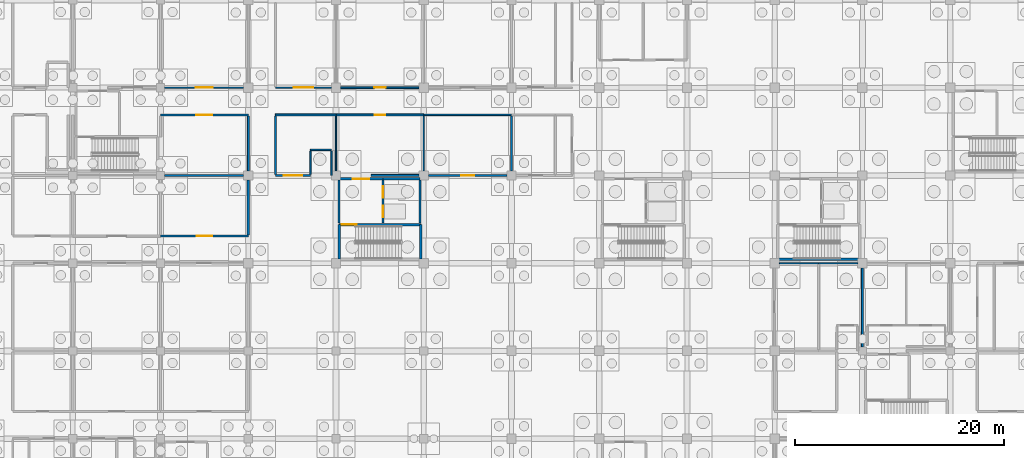
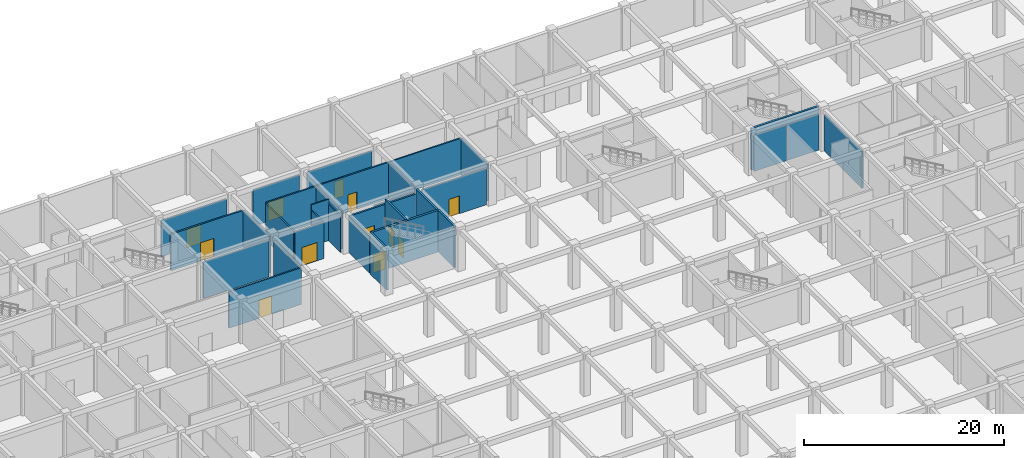
# One storey, part 42 of 65: 33 walls, 12 doors, 12 openings.
"""IFC4 building model written with IfcOpenShell, lengths in metres."""

from ifc_helpers import new_model, si_unit, direction, frame, frame_2d, origin, place, context, subcontext, project, spatial, rectangle, extrude, material, layer, layer_set, type_object, element, fill, save


model = new_model("IFC4")

# Units and contexts
model_context = context("Model", 3, precision=1e-05, world=origin(), true_north=direction((0.0, 1.0)))
body_context = subcontext(model_context, "Body", "Model", "MODEL_VIEW")
ifc_project = project(units=[si_unit("LENGTHUNIT", "METRE"), si_unit("AREAUNIT", "SQUARE_METRE"), si_unit("VOLUMEUNIT", "CUBIC_METRE"), si_unit("PLANEANGLEUNIT", "RADIAN"), si_unit("MASSUNIT", "GRAM", prefix="KILO")], contexts=[model_context])

# Site, building, storey
site_placement = place(None, origin())
site = spatial("IfcSite", under=ifc_project, at=site_placement, CompositionType="ELEMENT")
building_placement = place(site_placement, origin())
building = spatial("IfcBuilding", under=site, at=building_placement, Name="Bramfleet General Hospital", CompositionType="ELEMENT")
storey_placement = place(building_placement, frame((0.0, 0.0, -5.39990234375)))
storey = spatial("IfcBuildingStorey", under=building, at=storey_placement, Name="B1", CompositionType="ELEMENT", Elevation=-5.39990234375)

# Walls
ifc_material_1 = material(Name="Concrete C35/45", Category="concrete")
ifc_layer_1 = layer(ifc_material_1, 0.219970703125, Name="WT-IW-01")
ifc_layer_set_1 = layer_set([ifc_layer_1], Name="Concrete C35/45")
wall_type_1 = type_object("IfcWallType", Name="WT-IW-01", PredefinedType="PARTITIONING", material=ifc_layer_set_1)
wall_1_placement = place(storey_placement, frame((59.195068359375, 100.800048828125, 0.0), z_axis=(0.0, 0.0, 1.0), x_axis=(1.0, 0.0, 0.0)))
element("IfcWall", 1, at=wall_1_placement, inside=storey, type_object=wall_type_1, Name="B1 Interior Partition IW-B1-0289", PredefinedType="PARTITIONING", context=body_context, shape_type="SweptSolid", body=[
    extrude(rectangle(XDim=7.559814453125, YDim=0.219970703125, at=frame_2d((3.77978515625, 0.0))), origin(), (0.0, 0.0, 1.0), 4.419921875),
])
wall_2_placement = place(storey_placement, frame((92.39990234375, 101.2451171875, 0.0), z_axis=(0.0, 0.0, 1.0), x_axis=(0.0, 1.0, 0.0)))
element("IfcWall", 2, at=wall_2_placement, inside=storey, type_object=wall_type_1, Name="B1 Interior Partition IW-B1-0493", PredefinedType="PARTITIONING", context=body_context, shape_type="SweptSolid", body=[
    extrude(rectangle(XDim=5.239990234375, YDim=0.219970703125, at=frame_2d((2.6201171875, 0.0))), origin(), (0.0, 0.0, 1.0), 4.469970703125),
])

# Wall, openings, doors
ifc_layer_2 = layer(ifc_material_1, 0.205078125, Name="WT-IW-02")
ifc_layer_set_2 = layer_set([ifc_layer_2], Name="Concrete C35/45")
wall_type_2 = type_object("IfcWallType", Name="WT-IW-02", PredefinedType="PARTITIONING", material=ifc_layer_set_2)
wall_3_placement = place(storey_placement, frame((80.080078125, 96.239990234375, 0.0), z_axis=(0.0, 0.0, 1.0), x_axis=(0.0, 1.0, 0.0)))
wall_3 = element("IfcWall", 3, at=wall_3_placement, inside=storey, type_object=wall_type_2, Name="B1 C5 Lobby East Shaft Wall", PredefinedType="PARTITIONING", context=body_context, shape_type="SweptSolid", body=[
    extrude(rectangle(XDim=4.1201171875, YDim=0.205078125, at=frame_2d((2.06005859375, 0.0))), origin(), (0.0, 0.0, 1.0), 5.06982421875),
])
opening_1_placement = place(wall_3_placement, frame((0.570068359375, 0.0, 0.0)))
opening_1 = element("IfcOpeningElement", 4, at=opening_1_placement, cuts=wall_3, Name="Opening LD-PL-02-B1", PredefinedType="OPENING", context=body_context, shape_type="SweptSolid", body=[
    extrude(rectangle(XDim=1.10009765625, YDim=2.14990234375, at=frame_2d((0.550048828125, 1.074951171875))), frame((0.0, 0.112548828125, 0.0), z_axis=(0.0, -1.0, 0.0), x_axis=(1.0, 0.0, 0.0)), (0.0, 0.0, 1.0), 0.22509765625),
])
opening_2_placement = place(wall_3_placement, frame((2.449951171875, 0.0, 0.0)))
opening_2 = element("IfcOpeningElement", 5, at=opening_2_placement, cuts=wall_3, Name="Opening LD-PL-03-B1", PredefinedType="OPENING", context=body_context, shape_type="SweptSolid", body=[
    extrude(rectangle(XDim=1.10009765625, YDim=2.14990234375, at=frame_2d((0.550048828125, 1.074951171875))), frame((0.0, 0.112548828125, 0.0), z_axis=(0.0, -1.0, 0.0), x_axis=(1.0, 0.0, 0.0)), (0.0, 0.0, 1.0), 0.22509765625),
])
ifc_material_2 = material(Name="Brushed stainless steel 1.4301", Category="steel")
door_type_1 = type_object("IfcDoorType", Name="DR-LD-02", OperationType="NOTDEFINED", PredefinedType="DOOR", material=ifc_material_2)
door_1_placement = place(opening_1_placement, origin())
door_1 = element("IfcDoor", 6, at=door_1_placement, inside=storey, type_object=door_type_1, Name="B1 Lift PL-02 Sliding Landing Door", OperationType="SLIDING_TO_LEFT", OverallHeight=2.14990234375, OverallWidth=1.10009765625, PredefinedType="DOOR", context=body_context, shape_type="SweptSolid", body=[
    extrude(rectangle(XDim=1.10009765625, YDim=2.14990234375, at=frame_2d((0.550048828125, 1.074951171875))), frame((0.0, 0.02490234375, 0.0), z_axis=(0.0, -1.0, 0.0), x_axis=(1.0, 0.0, 0.0)), (0.0, 0.0, 1.0), 0.050048828125),
])
fill(opening_1, door_1)
door_2_placement = place(opening_2_placement, origin())
door_2 = element("IfcDoor", 7, at=door_2_placement, inside=storey, type_object=door_type_1, Name="B1 Lift PL-03 Sliding Landing Door", OperationType="SLIDING_TO_LEFT", OverallHeight=2.14990234375, OverallWidth=1.10009765625, PredefinedType="DOOR", context=body_context, shape_type="SweptSolid", body=[
    extrude(rectangle(XDim=1.10009765625, YDim=2.14990234375, at=frame_2d((0.550048828125, 1.074951171875))), frame((0.0, 0.02490234375, 0.0), z_axis=(0.0, -1.0, 0.0), x_axis=(1.0, 0.0, 0.0)), (0.0, 0.0, 1.0), 0.050048828125),
])
fill(opening_2, door_2)

# Walls
wall_4_placement = place(storey_placement, frame((83.64990234375, 96.239990234375, 0.0), z_axis=(0.0, 0.0, 1.0), x_axis=(0.0, 1.0, 0.0)))
element("IfcWall", 8, at=wall_4_placement, inside=storey, type_object=wall_type_2, Name="B1 C5 Lift Shaft East Wall", PredefinedType="PARTITIONING", context=body_context, shape_type="SweptSolid", body=[
    extrude(rectangle(XDim=4.1201171875, YDim=0.205078125, at=frame_2d((2.06005859375, 0.0))), origin(), (0.0, 0.0, 1.0), 5.06982421875),
])
wall_5_placement = place(storey_placement, frame((80.080078125, 100.47998046875, 0.0), z_axis=(0.0, 0.0, 1.0), x_axis=(1.0, 0.0, 0.0)))
element("IfcWall", 9, at=wall_5_placement, inside=storey, type_object=wall_type_2, Name="B1 C5 Lift Shaft North Wall", PredefinedType="PARTITIONING", context=body_context, shape_type="SweptSolid", body=[
    extrude(rectangle(XDim=3.56982421875, YDim=0.205078125, at=frame_2d((1.784912109375, 0.0))), origin(), (0.0, 0.0, 1.0), 4.419921875),
])
wall_6_placement = place(storey_placement, frame((75.89990234375, 96.239990234375, 0.0), z_axis=(0.0, 0.0, 1.0), x_axis=(0.0, 1.0, 0.0)))
element("IfcWall", 10, at=wall_6_placement, inside=storey, type_object=wall_type_2, Name="B1 C5 Lobby West Compartment Wall", PredefinedType="PARTITIONING", context=body_context, shape_type="SweptSolid", body=[
    extrude(rectangle(XDim=4.1201171875, YDim=0.205078125, at=frame_2d((2.06005859375, 0.0))), origin(), (0.0, 0.0, 1.0), 4.469970703125),
])

# Wall, opening, door
wall_7_placement = place(storey_placement, frame((75.89990234375, 100.47998046875, 0.0), z_axis=(0.0, 0.0, 1.0), x_axis=(1.0, 0.0, 0.0)))
wall_7 = element("IfcWall", 11, at=wall_7_placement, inside=storey, type_object=wall_type_2, Name="B1 C5 Lobby North Compartment Wall", PredefinedType="PARTITIONING", context=body_context, shape_type="SweptSolid", body=[
    extrude(rectangle(XDim=4.18017578125, YDim=0.205078125, at=frame_2d((2.090087890625, 0.0))), origin(), (0.0, 0.0, 1.0), 4.419921875),
])
opening_3_placement = place(wall_7_placement, frame((1.2900390625, 0.0, 0.0)))
opening_3 = element("IfcOpeningElement", 12, at=opening_3_placement, cuts=wall_7, Name="Opening D0056", PredefinedType="OPENING", context=body_context, shape_type="SweptSolid", body=[
    extrude(rectangle(XDim=1.60009765625, YDim=2.25, at=frame_2d((0.800048828125, 1.125))), frame((0.0, 0.112548828125, 0.0), z_axis=(0.0, -1.0, 0.0), x_axis=(1.0, 0.0, 0.0)), (0.0, 0.0, 1.0), 0.22509765625),
])
ifc_material_3 = material(Name="Stainless steel and acoustic timber leaf", Category="steel")
door_type_2 = type_object("IfcDoorType", Name="DR-D-04", OperationType="NOTDEFINED", PredefinedType="DOOR", material=ifc_material_3)
door_3_placement = place(opening_3_placement, origin())
door_3 = element("IfcDoor", 13, at=door_3_placement, inside=storey, type_object=door_type_2, Name="B1 C5 Lobby Fire Door D0056", OperationType="DOUBLE_SWING_LEFT", OverallHeight=2.25, OverallWidth=1.60009765625, PredefinedType="DOOR", context=body_context, shape_type="SweptSolid", body=[
    extrude(rectangle(XDim=1.60009765625, YDim=2.25, at=frame_2d((0.800048828125, 1.125))), frame((0.0, 0.02490234375, 0.0), z_axis=(0.0, -1.0, 0.0), x_axis=(1.0, 0.0, 0.0)), (0.0, 0.0, 1.0), 0.050048828125),
])
fill(opening_3, door_3)

wall_8_placement = place(storey_placement, frame((69.800048828125, 100.800048828125, 0.0), z_axis=(0.0, 0.0, 1.0), x_axis=(1.0, 0.0, 0.0)))
wall_8 = element("IfcWall", 14, at=wall_8_placement, inside=storey, type_object=wall_type_2, Name="B1 Interior Partition IW-B1-0290", PredefinedType="PARTITIONING", context=body_context, shape_type="SweptSolid", body=[
    extrude(rectangle(XDim=3.349853515625, YDim=0.205078125, at=frame_2d((1.6748046875, 0.0))), origin(), (0.0, 0.0, 1.0), 4.419921875),
])
opening_4_placement = place(wall_8_placement, frame((0.804931640625, 0.0, 0.0)))
opening_4 = element("IfcOpeningElement", 15, at=opening_4_placement, cuts=wall_8, Name="Opening D0307", PredefinedType="OPENING", context=body_context, shape_type="SweptSolid", body=[
    extrude(rectangle(XDim=1.739990234375, YDim=2.239990234375, at=frame_2d((0.8701171875, 1.1201171875))), frame((0.0, 0.112548828125, 0.0), z_axis=(0.0, -1.0, 0.0), x_axis=(1.0, 0.0, 0.0)), (0.0, 0.0, 1.0), 0.22509765625),
])
door_type_3 = type_object("IfcDoorType", Name="DR-D-19", OperationType="NOTDEFINED", PredefinedType="DOOR", material=ifc_material_3)
door_4_placement = place(opening_4_placement, origin())
door_4 = element("IfcDoor", 16, at=door_4_placement, inside=storey, type_object=door_type_3, Name="Pharmacy Compact Storage and Medical Archive B1-0812 Door D0307", OperationType="DOUBLE_SWING_RIGHT", OverallHeight=2.239990234375, OverallWidth=1.739990234375, PredefinedType="DOOR", context=body_context, shape_type="SweptSolid", body=[
    extrude(rectangle(XDim=1.739990234375, YDim=2.239990234375, at=frame_2d((0.8701171875, 1.1201171875))), frame((0.0, 0.02490234375, 0.0), z_axis=(0.0, -1.0, 0.0), x_axis=(1.0, 0.0, 0.0)), (0.0, 0.0, 1.0), 0.050048828125),
])
fill(opening_4, door_4)

# Walls
wall_9_placement = place(storey_placement, frame((67.199951171875, 95.114990234375, 0.0), z_axis=(0.0, 0.0, 1.0), x_axis=(0.0, 1.0, 0.0)))
element("IfcWall", 17, at=wall_9_placement, inside=storey, type_object=wall_type_2, Name="B1 Interior Partition IW-B1-0482", PredefinedType="PARTITIONING", context=body_context, shape_type="SweptSolid", body=[
    extrude(rectangle(XDim=5.239990234375, YDim=0.205078125, at=frame_2d((2.6201171875, 0.0))), origin(), (0.0, 0.0, 1.0), 4.469970703125),
])
ifc_layer_3 = layer(ifc_material_1, 0.18994140625, Name="WT-IW-03")
ifc_layer_set_3 = layer_set([ifc_layer_3], Name="Concrete C35/45")
wall_type_3 = type_object("IfcWallType", Name="WT-IW-03", PredefinedType="PARTITIONING", material=ifc_layer_set_3)
wall_10_placement = place(storey_placement, frame((78.949951171875, 100.800048828125, 0.0), z_axis=(0.0, 0.0, 1.0), x_axis=(1.0, 0.0, 0.0)))
element("IfcWall", 18, at=wall_10_placement, inside=storey, type_object=wall_type_3, Name="B1 Interior Partition IW-B1-0291", PredefinedType="PARTITIONING", context=body_context, shape_type="SweptSolid", body=[
    extrude(rectangle(XDim=4.60498046875, YDim=0.18994140625, at=frame_2d((2.302490234375, 0.0))), origin(), (0.0, 0.0, 1.0), 4.419921875),
])

# Wall, opening, door
wall_11_placement = place(storey_placement, frame((58.800048828125, 106.60009765625, 0.0), z_axis=(0.0, 0.0, 1.0), x_axis=(1.0, 0.0, 0.0)))
wall_11 = element("IfcWall", 19, at=wall_11_placement, inside=storey, type_object=wall_type_3, Name="B1 Interior Partition IW-B1-0303", PredefinedType="PARTITIONING", context=body_context, shape_type="SweptSolid", body=[
    extrude(rectangle(XDim=8.39990234375, YDim=0.18994140625, at=frame_2d((4.199951171875, 0.0))), origin(), (0.0, 0.0, 1.0), 4.469970703125),
])
opening_5_placement = place(wall_11_placement, frame((3.429931640625, 0.0, 0.0)))
opening_5 = element("IfcOpeningElement", 20, at=opening_5_placement, cuts=wall_11, Name="Opening D0305", PredefinedType="OPENING", context=body_context, shape_type="SweptSolid", body=[
    extrude(rectangle(XDim=1.5400390625, YDim=2.239990234375, at=frame_2d((0.77001953125, 1.1201171875))), frame((0.0, 0.10498046875, 0.0), z_axis=(0.0, -1.0, 0.0), x_axis=(1.0, 0.0, 0.0)), (0.0, 0.0, 1.0), 0.2099609375),
])
door_type_4 = type_object("IfcDoorType", Name="DR-D-17", OperationType="NOTDEFINED", PredefinedType="DOOR", material=ifc_material_3)
door_5_placement = place(opening_5_placement, origin())
door_5 = element("IfcDoor", 21, at=door_5_placement, inside=storey, type_object=door_type_4, Name="Pharmacy Compact Storage and Medical Archive B1-0712 Door D0305", OperationType="SINGLE_SWING_RIGHT", OverallHeight=2.239990234375, OverallWidth=1.5400390625, PredefinedType="DOOR", context=body_context, shape_type="SweptSolid", body=[
    extrude(rectangle(XDim=1.5400390625, YDim=2.239990234375, at=frame_2d((0.77001953125, 1.1201171875))), frame((0.0, 0.02490234375, 0.0), z_axis=(0.0, -1.0, 0.0), x_axis=(1.0, 0.0, 0.0)), (0.0, 0.0, 1.0), 0.050048828125),
])
fill(opening_5, door_5)

# Walls
wall_12_placement = place(storey_placement, frame((67.199951171875, 101.2451171875, 0.0), z_axis=(0.0, 0.0, 1.0), x_axis=(0.0, 1.0, 0.0)))
element("IfcWall", 22, at=wall_12_placement, inside=storey, type_object=wall_type_3, Name="B1 Interior Partition IW-B1-0483", PredefinedType="PARTITIONING", context=body_context, shape_type="SweptSolid", body=[
    extrude(rectangle(XDim=5.239990234375, YDim=0.18994140625, at=frame_2d((2.6201171875, 0.0))), origin(), (0.0, 0.0, 1.0), 4.469970703125),
])
wall_13_placement = place(storey_placement, frame((126.0, 84.39501953125, 0.0), z_axis=(0.0, 0.0, 1.0), x_axis=(0.0, 1.0, 0.0)))
element("IfcWall", 23, at=wall_13_placement, inside=storey, type_object=wall_type_3, Name="B1 Interior Partition IW-B1-0543", PredefinedType="PARTITIONING", context=body_context, shape_type="SweptSolid", body=[
    extrude(rectangle(XDim=7.56005859375, YDim=0.18994140625, at=frame_2d((3.780029296875, 0.0))), origin(), (0.0, 0.0, 1.0), 4.469970703125),
])

# Wall, opening, door
ifc_layer_4 = layer(ifc_material_1, 0.179931640625, Name="WT-IW-04")
ifc_layer_set_4 = layer_set([ifc_layer_4], Name="Concrete C35/45")
wall_type_4 = type_object("IfcWallType", Name="WT-IW-04", PredefinedType="PARTITIONING", material=ifc_layer_set_4)
wall_14_placement = place(storey_placement, frame((58.800048828125, 95.0, 0.0), z_axis=(0.0, 0.0, 1.0), x_axis=(1.0, 0.0, 0.0)))
wall_14 = element("IfcWall", 24, at=wall_14_placement, inside=storey, type_object=wall_type_4, Name="B1 Interior Partition IW-B1-0280", PredefinedType="PARTITIONING", context=body_context, shape_type="SweptSolid", body=[
    extrude(rectangle(XDim=8.39990234375, YDim=0.179931640625, at=frame_2d((4.199951171875, 0.0))), origin(), (0.0, 0.0, 1.0), 4.469970703125),
])
opening_6_placement = place(wall_14_placement, frame((3.4599609375, 0.0, 0.0)))
opening_6 = element("IfcOpeningElement", 25, at=opening_6_placement, cuts=wall_14, Name="Opening D0304", PredefinedType="OPENING", context=body_context, shape_type="SweptSolid", body=[
    extrude(rectangle(XDim=1.47998046875, YDim=2.219970703125, at=frame_2d((0.739990234375, 1.10986328125))), frame((0.0, 0.099853515625, 0.0), z_axis=(0.0, -1.0, 0.0), x_axis=(1.0, 0.0, 0.0)), (0.0, 0.0, 1.0), 0.199951171875),
])
door_type_5 = type_object("IfcDoorType", Name="DR-D-16", OperationType="NOTDEFINED", PredefinedType="DOOR", material=ifc_material_3)
door_6_placement = place(opening_6_placement, origin())
door_6 = element("IfcDoor", 26, at=door_6_placement, inside=storey, type_object=door_type_5, Name="Pharmacy Compact Storage and Medical Archive B1-0711 Door D0304", OperationType="SINGLE_SWING_LEFT", OverallHeight=2.219970703125, OverallWidth=1.47998046875, PredefinedType="DOOR", context=body_context, shape_type="SweptSolid", body=[
    extrude(rectangle(XDim=1.47998046875, YDim=2.219970703125, at=frame_2d((0.739990234375, 1.10986328125))), frame((0.0, 0.02490234375, 0.0), z_axis=(0.0, -1.0, 0.0), x_axis=(1.0, 0.0, 0.0)), (0.0, 0.0, 1.0), 0.050048828125),
])
fill(opening_6, door_6)

wall_15_placement = place(storey_placement, frame((84.445068359375, 100.800048828125, 0.0), z_axis=(0.0, 0.0, 1.0), x_axis=(1.0, 0.0, 0.0)))
wall_15 = element("IfcWall", 27, at=wall_15_placement, inside=storey, type_object=wall_type_4, Name="B1 Interior Partition IW-B1-0292", PredefinedType="PARTITIONING", context=body_context, shape_type="SweptSolid", body=[
    extrude(rectangle(XDim=7.510009765625, YDim=0.179931640625, at=frame_2d((3.7548828125, 0.0))), origin(), (0.0, 0.0, 1.0), 4.419921875),
])
opening_7_placement = place(wall_15_placement, frame((3.14501953125, 0.0, 0.0)))
opening_7 = element("IfcOpeningElement", 28, at=opening_7_placement, cuts=wall_15, Name="Opening D0311", PredefinedType="OPENING", context=body_context, shape_type="SweptSolid", body=[
    extrude(rectangle(XDim=1.219970703125, YDim=2.179931640625, at=frame_2d((0.60986328125, 1.08984375))), frame((0.0, 0.099853515625, 0.0), z_axis=(0.0, -1.0, 0.0), x_axis=(1.0, 0.0, 0.0)), (0.0, 0.0, 1.0), 0.199951171875),
])
door_type_6 = type_object("IfcDoorType", Name="DR-D-23", OperationType="NOTDEFINED", PredefinedType="DOOR", material=ifc_material_3)
door_7_placement = place(opening_7_placement, origin())
door_7 = element("IfcDoor", 29, at=door_7_placement, inside=storey, type_object=door_type_6, Name="Pharmacy Compact Storage and Medical Archive B1-1012 Door D0311", OperationType="SINGLE_SWING_RIGHT", OverallHeight=2.179931640625, OverallWidth=1.219970703125, PredefinedType="DOOR", context=body_context, shape_type="SweptSolid", body=[
    extrude(rectangle(XDim=1.219970703125, YDim=2.179931640625, at=frame_2d((0.60986328125, 1.08984375))), frame((0.0, 0.02490234375, 0.0), z_axis=(0.0, -1.0, 0.0), x_axis=(1.0, 0.0, 0.0)), (0.0, 0.0, 1.0), 0.050048828125),
])
fill(opening_7, door_7)

# Wall
wall_16_placement = place(storey_placement, frame((69.800048828125, 106.60009765625, 0.0), z_axis=(0.0, 0.0, 1.0), x_axis=(1.0, 0.0, 0.0)))
element("IfcWall", 30, at=wall_16_placement, inside=storey, type_object=wall_type_4, Name="B1 Interior Partition IW-B1-0304", PredefinedType="PARTITIONING", context=body_context, shape_type="SweptSolid", body=[
    extrude(rectangle(XDim=5.800048828125, YDim=0.179931640625, at=frame_2d((2.89990234375, 0.0))), origin(), (0.0, 0.0, 1.0), 4.469970703125),
])

# Wall, opening, door
wall_17_placement = place(storey_placement, frame((59.195068359375, 109.199951171875, 0.0), z_axis=(0.0, 0.0, 1.0), x_axis=(1.0, 0.0, 0.0)))
wall_17 = element("IfcWall", 31, at=wall_17_placement, inside=storey, type_object=wall_type_4, Name="B1 Interior Partition IW-B1-0316", PredefinedType="PARTITIONING", context=body_context, shape_type="SweptSolid", body=[
    extrude(rectangle(XDim=7.559814453125, YDim=0.179931640625, at=frame_2d((3.77978515625, 0.0))), origin(), (0.0, 0.0, 1.0), 4.419921875),
])
opening_8_placement = place(wall_17_placement, frame((2.9599609375, 0.0, 0.0)))
opening_8 = element("IfcOpeningElement", 32, at=opening_8_placement, cuts=wall_17, Name="Opening D0306", PredefinedType="OPENING", context=body_context, shape_type="SweptSolid", body=[
    extrude(rectangle(XDim=1.639892578125, YDim=2.280029296875, at=frame_2d((0.81982421875, 1.14013671875))), frame((0.0, 0.099853515625, 0.0), z_axis=(0.0, -1.0, 0.0), x_axis=(1.0, 0.0, 0.0)), (0.0, 0.0, 1.0), 0.199951171875),
])
door_type_7 = type_object("IfcDoorType", Name="DR-D-18", OperationType="NOTDEFINED", PredefinedType="DOOR", material=ifc_material_3)
door_8_placement = place(opening_8_placement, origin())
door_8 = element("IfcDoor", 33, at=door_8_placement, inside=storey, type_object=door_type_7, Name="Pharmacy Compact Storage and Medical Archive B1-0713 Door D0306", OperationType="DOUBLE_SWING_LEFT", OverallHeight=2.280029296875, OverallWidth=1.639892578125, PredefinedType="DOOR", context=body_context, shape_type="SweptSolid", body=[
    extrude(rectangle(XDim=1.639892578125, YDim=2.280029296875, at=frame_2d((0.81982421875, 1.14013671875))), frame((0.0, 0.02490234375, 0.0), z_axis=(0.0, -1.0, 0.0), x_axis=(1.0, 0.0, 0.0)), (0.0, 0.0, 1.0), 0.050048828125),
])
fill(opening_8, door_8)

ifc_material_4 = material(Name="Gypsum plasterboard on acoustic steel studs", Category="steel")
ifc_layer_5 = layer(ifc_material_4, 0.169921875, Name="WT-IW-05")
ifc_layer_set_5 = layer_set([ifc_layer_5], Name="Gypsum plasterboard on acoustic steel studs")
wall_type_5 = type_object("IfcWallType", Name="WT-IW-05", PredefinedType="PARTITIONING", material=ifc_layer_set_5)
wall_18_placement = place(storey_placement, frame((75.60009765625, 106.60009765625, 0.0), z_axis=(0.0, 0.0, 1.0), x_axis=(1.0, 0.0, 0.0)))
wall_18 = element("IfcWall", 34, at=wall_18_placement, inside=storey, type_object=wall_type_5, Name="B1 Interior Partition IW-B1-0305", PredefinedType="PARTITIONING", context=body_context, shape_type="SweptSolid", body=[
    extrude(rectangle(XDim=8.39990234375, YDim=0.169921875, at=frame_2d((4.199951171875, 0.0))), origin(), (0.0, 0.0, 1.0), 4.469970703125),
])
opening_9_placement = place(wall_18_placement, frame((3.68994140625, 0.0, 0.0)))
opening_9 = element("IfcOpeningElement", 35, at=opening_9_placement, cuts=wall_18, Name="Opening D0309", PredefinedType="OPENING", context=body_context, shape_type="SweptSolid", body=[
    extrude(rectangle(XDim=1.02001953125, YDim=2.1201171875, at=frame_2d((0.510009765625, 1.06005859375))), frame((0.0, 0.094970703125, 0.0), z_axis=(0.0, -1.0, 0.0), x_axis=(1.0, 0.0, 0.0)), (0.0, 0.0, 1.0), 0.18994140625),
])
door_type_8 = type_object("IfcDoorType", Name="DR-D-21", OperationType="NOTDEFINED", PredefinedType="DOOR", material=ifc_material_3)
door_9_placement = place(opening_9_placement, origin())
door_9 = element("IfcDoor", 36, at=door_9_placement, inside=storey, type_object=door_type_8, Name="Pharmacy Compact Storage and Medical Archive B1-0912 Door D0309", OperationType="SINGLE_SWING_RIGHT", OverallHeight=2.1201171875, OverallWidth=1.02001953125, PredefinedType="DOOR", context=body_context, shape_type="SweptSolid", body=[
    extrude(rectangle(XDim=1.02001953125, YDim=2.1201171875, at=frame_2d((0.510009765625, 1.06005859375))), frame((0.0, 0.02490234375, 0.0), z_axis=(0.0, -1.0, 0.0), x_axis=(1.0, 0.0, 0.0)), (0.0, 0.0, 1.0), 0.050048828125),
])
fill(opening_9, door_9)

wall_19_placement = place(storey_placement, frame((69.800048828125, 109.199951171875, 0.0), z_axis=(0.0, 0.0, 1.0), x_axis=(1.0, 0.0, 0.0)))
wall_19 = element("IfcWall", 37, at=wall_19_placement, inside=storey, type_object=wall_type_5, Name="B1 Interior Partition IW-B1-0317", PredefinedType="PARTITIONING", context=body_context, shape_type="SweptSolid", body=[
    extrude(rectangle(XDim=5.35498046875, YDim=0.169921875, at=frame_2d((2.677490234375, 0.0))), origin(), (0.0, 0.0, 1.0), 4.419921875),
])
opening_10_placement = place(wall_19_placement, frame((1.757568359375, 0.0, 0.0)))
opening_10 = element("IfcOpeningElement", 38, at=opening_10_placement, cuts=wall_19, Name="Opening D0308", PredefinedType="OPENING", context=body_context, shape_type="SweptSolid", body=[
    extrude(rectangle(XDim=1.840087890625, YDim=2.280029296875, at=frame_2d((0.919921875, 1.14013671875))), frame((0.0, 0.094970703125, 0.0), z_axis=(0.0, -1.0, 0.0), x_axis=(1.0, 0.0, 0.0)), (0.0, 0.0, 1.0), 0.18994140625),
])
door_type_9 = type_object("IfcDoorType", Name="DR-D-20", OperationType="NOTDEFINED", PredefinedType="DOOR", material=ifc_material_3)
door_10_placement = place(opening_10_placement, origin())
door_10 = element("IfcDoor", 39, at=door_10_placement, inside=storey, type_object=door_type_9, Name="Pharmacy Compact Storage and Medical Archive B1-0813 Door D0308", OperationType="DOUBLE_SWING_LEFT", OverallHeight=2.280029296875, OverallWidth=1.840087890625, PredefinedType="DOOR", context=body_context, shape_type="SweptSolid", body=[
    extrude(rectangle(XDim=1.840087890625, YDim=2.280029296875, at=frame_2d((0.919921875, 1.14013671875))), frame((0.0, 0.02490234375, 0.0), z_axis=(0.0, -1.0, 0.0), x_axis=(1.0, 0.0, 0.0)), (0.0, 0.0, 1.0), 0.050048828125),
])
fill(opening_10, door_10)

# Walls
wall_20_placement = place(storey_placement, frame((69.800048828125, 100.9150390625, 0.0), z_axis=(0.0, 0.0, 1.0), x_axis=(0.0, 1.0, 0.0)))
element("IfcWall", 40, at=wall_20_placement, inside=storey, type_object=wall_type_5, Name="B1 Interior Partition IW-B1-0485", PredefinedType="PARTITIONING", context=body_context, shape_type="SweptSolid", body=[
    extrude(rectangle(XDim=5.570068359375, YDim=0.169921875, at=frame_2d((2.78515625, 0.0))), origin(), (0.0, 0.0, 1.0), 4.419921875),
])
ifc_layer_6 = layer(ifc_material_4, 0.159912109375, Name="WT-IW-06")
ifc_layer_set_6 = layer_set([ifc_layer_6], Name="Gypsum plasterboard on acoustic steel studs")
wall_type_6 = type_object("IfcWallType", Name="WT-IW-06", PredefinedType="PARTITIONING", material=ifc_layer_set_6)
wall_21_placement = place(storey_placement, frame((84.0, 106.60009765625, 0.0), z_axis=(0.0, 0.0, 1.0), x_axis=(1.0, 0.0, 0.0)))
element("IfcWall", 41, at=wall_21_placement, inside=storey, type_object=wall_type_6, Name="B1 Interior Partition IW-B1-0306", PredefinedType="PARTITIONING", context=body_context, shape_type="SweptSolid", body=[
    extrude(rectangle(XDim=8.39990234375, YDim=0.159912109375, at=frame_2d((4.199951171875, 0.0))), origin(), (0.0, 0.0, 1.0), 4.469970703125),
])

# Wall, opening, door
wall_22_placement = place(storey_placement, frame((76.044921875, 109.199951171875, 0.0), z_axis=(0.0, 0.0, 1.0), x_axis=(1.0, 0.0, 0.0)))
wall_22 = element("IfcWall", 42, at=wall_22_placement, inside=storey, type_object=wall_type_6, Name="B1 Interior Partition IW-B1-0318", PredefinedType="PARTITIONING", context=body_context, shape_type="SweptSolid", body=[
    extrude(rectangle(XDim=7.510009765625, YDim=0.159912109375, at=frame_2d((3.7548828125, 0.0))), origin(), (0.0, 0.0, 1.0), 4.419921875),
])
opening_11_placement = place(wall_22_placement, frame((3.215087890625, 0.0, 0.0)))
opening_11 = element("IfcOpeningElement", 43, at=opening_11_placement, cuts=wall_22, Name="Opening D0310", PredefinedType="OPENING", context=body_context, shape_type="SweptSolid", body=[
    extrude(rectangle(XDim=1.080078125, YDim=2.1201171875, at=frame_2d((0.5400390625, 1.06005859375))), frame((0.0, 0.08984375, 0.0), z_axis=(0.0, -1.0, 0.0), x_axis=(1.0, 0.0, 0.0)), (0.0, 0.0, 1.0), 0.179931640625),
])
door_type_10 = type_object("IfcDoorType", Name="DR-D-22", OperationType="NOTDEFINED", PredefinedType="DOOR", material=ifc_material_3)
door_11_placement = place(opening_11_placement, origin())
door_11 = element("IfcDoor", 44, at=door_11_placement, inside=storey, type_object=door_type_10, Name="Pharmacy Compact Storage and Medical Archive B1-0913 Door D0310", OperationType="SINGLE_SWING_LEFT", OverallHeight=2.1201171875, OverallWidth=1.080078125, PredefinedType="DOOR", context=body_context, shape_type="SweptSolid", body=[
    extrude(rectangle(XDim=1.080078125, YDim=2.1201171875, at=frame_2d((0.5400390625, 1.06005859375))), frame((0.0, 0.02490234375, 0.0), z_axis=(0.0, -1.0, 0.0), x_axis=(1.0, 0.0, 0.0)), (0.0, 0.0, 1.0), 0.050048828125),
])
fill(opening_11, door_11)

# Walls
ifc_layer_7 = layer(ifc_material_4, 0.14990234375, Name="WT-IW-07")
ifc_layer_set_7 = layer_set([ifc_layer_7], Name="Gypsum plasterboard on acoustic steel studs")
wall_type_7 = type_object("IfcWallType", Name="WT-IW-07", PredefinedType="PARTITIONING", material=ifc_layer_set_7)
wall_23_placement = place(storey_placement, frame((73.14990234375, 100.9150390625, 0.0), z_axis=(0.0, 0.0, 1.0), x_axis=(0.0, 1.0, 0.0)))
element("IfcWall", 45, at=wall_23_placement, inside=storey, type_object=wall_type_7, Name="B1 Interior Partition IW-B1-0487", PredefinedType="PARTITIONING", context=body_context, shape_type="SweptSolid", body=[
    extrude(rectangle(XDim=2.219970703125, YDim=0.14990234375, at=frame_2d((1.10986328125, 0.0))), origin(), (0.0, 0.0, 1.0), 4.419921875),
])
ifc_layer_8 = layer(ifc_material_4, 0.139892578125, Name="WT-IW-08")
ifc_layer_set_8 = layer_set([ifc_layer_8], Name="Gypsum plasterboard on acoustic steel studs")
wall_type_8 = type_object("IfcWallType", Name="WT-IW-08", PredefinedType="PARTITIONING", material=ifc_layer_set_8)
wall_24_placement = place(storey_placement, frame((75.14990234375, 100.800048828125, 0.0), z_axis=(0.0, 0.0, 1.0), x_axis=(0.0, 1.0, 0.0)))
element("IfcWall", 46, at=wall_24_placement, inside=storey, type_object=wall_type_8, Name="B1 Interior Partition IW-B1-0488", PredefinedType="PARTITIONING", context=body_context, shape_type="SweptSolid", body=[
    extrude(rectangle(XDim=2.3349609375, YDim=0.139892578125, at=frame_2d((1.16748046875, 0.0))), origin(), (0.0, 0.0, 1.0), 4.419921875),
])
ifc_layer_9 = layer(ifc_material_4, 0.1298828125, Name="WT-IW-09")
ifc_layer_set_9 = layer_set([ifc_layer_9], Name="Gypsum plasterboard on acoustic steel studs")
wall_type_9 = type_object("IfcWallType", Name="WT-IW-09", PredefinedType="PARTITIONING", material=ifc_layer_set_9)
wall_25_placement = place(storey_placement, frame((118.044921875, 92.39990234375, 0.0), z_axis=(0.0, 0.0, 1.0), x_axis=(1.0, 0.0, 0.0)))
element("IfcWall", 47, at=wall_25_placement, inside=storey, type_object=wall_type_9, Name="B1 Interior Partition IW-B1-0261", PredefinedType="PARTITIONING", context=body_context, shape_type="SweptSolid", body=[
    extrude(rectangle(XDim=3.755126953125, YDim=0.1298828125, at=frame_2d((1.87744140625, 0.0))), origin(), (0.0, 0.0, 1.0), 4.419921875),
])
wall_26_placement = place(storey_placement, frame((73.14990234375, 103.25, 0.0), z_axis=(0.0, 0.0, 1.0), x_axis=(1.0, 0.0, 0.0)))
element("IfcWall", 48, at=wall_26_placement, inside=storey, type_object=wall_type_9, Name="B1 Interior Partition IW-B1-0297", PredefinedType="PARTITIONING", context=body_context, shape_type="SweptSolid", body=[
    extrude(rectangle(XDim=2.0, YDim=0.1298828125, at=frame_2d((1.0, 0.0))), origin(), (0.0, 0.0, 1.0), 5.06982421875),
])
wall_27_placement = place(storey_placement, frame((75.60009765625, 101.2451171875, 0.0), z_axis=(0.0, 0.0, 1.0), x_axis=(0.0, 1.0, 0.0)))
element("IfcWall", 49, at=wall_27_placement, inside=storey, type_object=wall_type_9, Name="B1 Interior Partition IW-B1-0489", PredefinedType="PARTITIONING", context=body_context, shape_type="SweptSolid", body=[
    extrude(rectangle(XDim=5.239990234375, YDim=0.1298828125, at=frame_2d((2.6201171875, 0.0))), origin(), (0.0, 0.0, 1.0), 4.469970703125),
])
ifc_layer_10 = layer(ifc_material_4, 0.1201171875, Name="WT-IW-10")
ifc_layer_set_10 = layer_set([ifc_layer_10], Name="Gypsum plasterboard on acoustic steel studs")
wall_type_10 = type_object("IfcWallType", Name="WT-IW-10", PredefinedType="PARTITIONING", material=ifc_layer_set_10)
wall_28_placement = place(storey_placement, frame((121.800048828125, 92.39990234375, 0.0), z_axis=(0.0, 0.0, 1.0), x_axis=(1.0, 0.0, 0.0)))
element("IfcWall", 50, at=wall_28_placement, inside=storey, type_object=wall_type_10, Name="B1 Interior Partition IW-B1-0262", PredefinedType="PARTITIONING", context=body_context, shape_type="SweptSolid", body=[
    extrude(rectangle(XDim=3.7548828125, YDim=0.1201171875, at=frame_2d((1.87744140625, 0.0))), origin(), (0.0, 0.0, 1.0), 4.419921875),
])
ifc_layer_11 = layer(ifc_material_4, 0.112060546875, Name="WT-IW-11")
ifc_layer_set_11 = layer_set([ifc_layer_11], Name="Gypsum plasterboard on acoustic steel studs")
wall_type_11 = type_object("IfcWallType", Name="WT-IW-11", PredefinedType="PARTITIONING", material=ifc_layer_set_11)
wall_29_placement = place(storey_placement, frame((84.0, 101.2451171875, 0.0), z_axis=(0.0, 0.0, 1.0), x_axis=(0.0, 1.0, 0.0)))
element("IfcWall", 51, at=wall_29_placement, inside=storey, type_object=wall_type_11, Name="B1 Interior Partition IW-B1-0491", PredefinedType="PARTITIONING", context=body_context, shape_type="SweptSolid", body=[
    extrude(rectangle(XDim=5.239990234375, YDim=0.112060546875, at=frame_2d((2.6201171875, 0.0))), origin(), (0.0, 0.0, 1.0), 4.469970703125),
])
ifc_material_5 = material(Name="Concrete C40/50", Category="concrete")
ifc_layer_12 = layer(ifc_material_5, 0.239990234375, Name="WT-SW-240")
ifc_layer_set_12 = layer_set([ifc_layer_12], Name="Concrete C40/50")
wall_type_12 = type_object("IfcWallType", Name="WT-SW-240", PredefinedType="SHEAR", material=ifc_layer_set_12)
for number, where, z_axis, x_axis, name in (
    (52, (75.89990234375, 92.780029296875, 0.0), (0.0, 0.0, 1.0), (0.0, 1.0, 0.0), "B1 C5 West Stair Shear Wall"),
    (53, (83.719970703125, 92.780029296875, 0.0), (0.0, 0.0, 1.0), (0.0, 1.0, 0.0), "B1 C5 East Stair Shear Wall"),
):
    element("IfcWall", number, at=place(storey_placement, frame(where, z_axis=z_axis, x_axis=x_axis)), inside=storey, type_object=wall_type_12, Name=name, PredefinedType="SHEAR", context=body_context, shape_type="SweptSolid", body=[
        extrude(rectangle(XDim=3.320068359375, YDim=0.239990234375, at=frame_2d((1.66015625, 0.0))), origin(), (0.0, 0.0, 1.0), 5.079833984375),
    ])

# Wall, opening, door
wall_30_placement = place(storey_placement, frame((75.89990234375, 96.10009765625, 0.0), z_axis=(0.0, 0.0, 1.0), x_axis=(1.0, 0.0, 0.0)))
wall_30 = element("IfcWall", 54, at=wall_30_placement, inside=storey, type_object=wall_type_12, Name="B1 C5 Stair-Lobby Shear Wall", PredefinedType="SHEAR", context=body_context, shape_type="SweptSolid", body=[
    extrude(rectangle(XDim=7.820068359375, YDim=0.239990234375, at=frame_2d((3.91015625, 0.0))), origin(), (0.0, 0.0, 1.0), 5.079833984375),
])
opening_12_placement = place(wall_30_placement, frame((0.25, 0.0, 0.0)))
opening_12 = element("IfcOpeningElement", 55, at=opening_12_placement, cuts=wall_30, Name="Opening D0055", PredefinedType="OPENING", context=body_context, shape_type="SweptSolid", body=[
    extrude(rectangle(XDim=1.449951171875, YDim=2.199951171875, at=frame_2d((0.72509765625, 1.10009765625))), frame((0.0, 0.1298828125, 0.0), z_axis=(0.0, -1.0, 0.0), x_axis=(1.0, 0.0, 0.0)), (0.0, 0.0, 1.0), 0.260009765625),
])
door_type_11 = type_object("IfcDoorType", Name="DR-D-03", OperationType="NOTDEFINED", PredefinedType="DOOR", material=ifc_material_3)
door_12_placement = place(opening_12_placement, origin())
door_12 = element("IfcDoor", 56, at=door_12_placement, inside=storey, type_object=door_type_11, Name="B1 C5 Escape Stair Fire Door D0055", OperationType="SINGLE_SWING_RIGHT", OverallHeight=2.199951171875, OverallWidth=1.449951171875, PredefinedType="DOOR", context=body_context, shape_type="SweptSolid", body=[
    extrude(rectangle(XDim=1.449951171875, YDim=2.199951171875, at=frame_2d((0.72509765625, 1.10009765625))), frame((0.0, 0.02490234375, 0.0), z_axis=(0.0, -1.0, 0.0), x_axis=(1.0, 0.0, 0.0)), (0.0, 0.0, 1.0), 0.050048828125),
])
fill(opening_12, door_12)

# Wall
wall_31_placement = place(storey_placement, frame((117.89990234375, 92.780029296875, 0.0), z_axis=(0.0, 0.0, 1.0), x_axis=(1.0, 0.0, 0.0)))
element("IfcWall", 57, at=wall_31_placement, inside=storey, type_object=wall_type_12, Name="B1 C6 South Stair Shear Wall", PredefinedType="SHEAR", context=body_context, shape_type="SweptSolid", body=[
    extrude(rectangle(XDim=7.820068359375, YDim=0.239990234375, at=frame_2d((3.91015625, 0.0))), origin(), (0.0, 0.0, 1.0), 5.079833984375),
])

save(model, "model.ifc")
